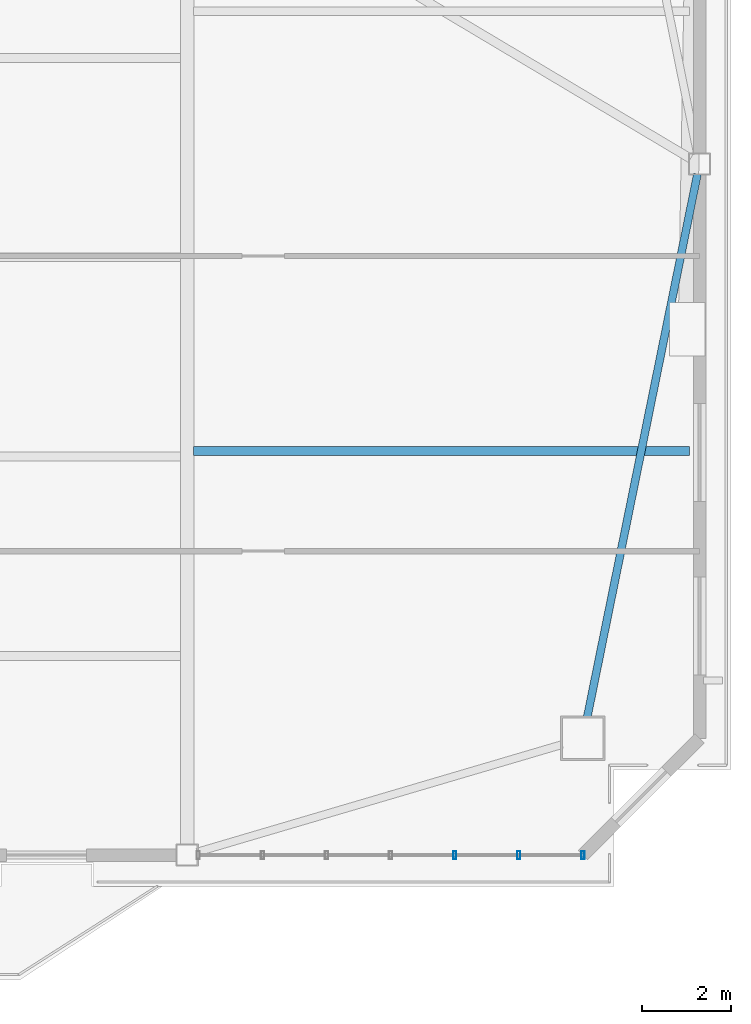
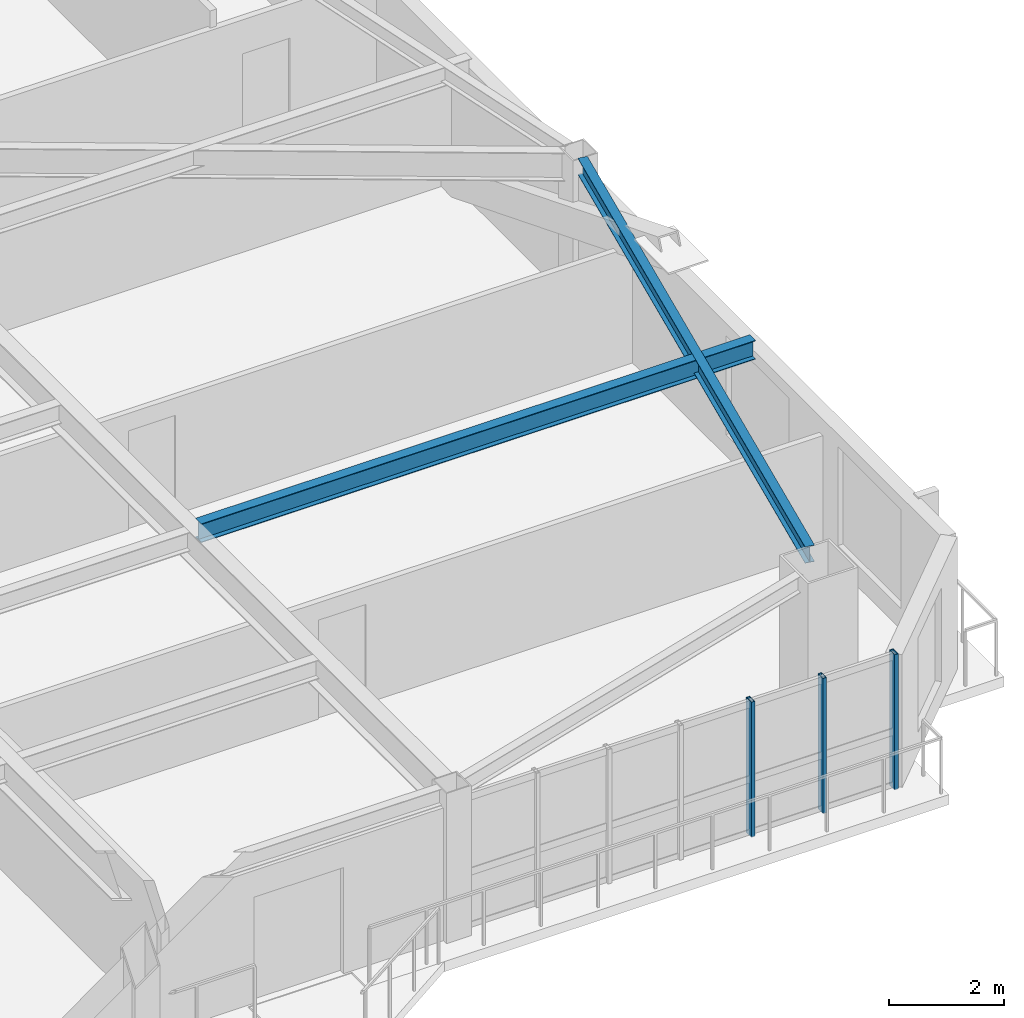
# One storey, part 6 of 17: 3 members, 2 beams, 1 element without a shape of its own.
"""IFC4 building model written with IfcOpenShell, lengths in metres."""

from ifc_helpers import new_model, si_unit, direction, frame, origin, origin_2d, place, context, subcontext, project, spatial, hollow_rectangle, i_section, extrude, source, transform, mapped, material, layer, layer_set, material_profile, profile_set, type_object, element, aggregate, save


model = new_model("IFC4")

# Units and contexts
model_context = context("Model", 3, precision=1e-05, world=origin(), true_north=direction((0.0, 1.0)))
body_context = subcontext(model_context, "Body", "Model", "MODEL_VIEW")
ifc_project = project(units=[si_unit("LENGTHUNIT", "METRE"), si_unit("AREAUNIT", "SQUARE_METRE"), si_unit("VOLUMEUNIT", "CUBIC_METRE"), si_unit("PLANEANGLEUNIT", "RADIAN"), si_unit("MASSUNIT", "GRAM", prefix="KILO")], contexts=[model_context])

# Site, building, storey
site_placement = place(None, origin())
site = spatial("IfcSite", under=ifc_project, at=site_placement, CompositionType="ELEMENT")
building_placement = place(site_placement, origin())
building = spatial("IfcBuilding", under=site, at=building_placement, Name="Giltprow Tower", CompositionType="ELEMENT")
storey_placement = place(building_placement, frame((0.0, 0.0, 251.89990234375)))
storey = spatial("IfcBuildingStorey", under=building, at=storey_placement, Name="L64", CompositionType="ELEMENT", Elevation=251.89990234375)

# Beams
ifc_material_1 = material(Name="Structural steel Q355B", Category="steel")
ifc_material_profile_1 = material_profile(ifc_material_1, i_section(OverallWidth=0.175048828125, OverallDepth=0.35009765625, WebThickness=0.007080078125, FlangeThickness=0.010986328125, at=origin_2d()), Name="HN 350x175x7x11")
ifc_profile_set_1 = profile_set([ifc_material_profile_1], Name="Structural steel Q355B")
beam_type_1 = type_object("IfcBeamType", Name="BM-SPAN-HN350", PredefinedType="SPANDREL", material=ifc_profile_set_1)
shared_shape_1 = source(origin(), body_context, "Body", "SweptSolid", [
    extrude(i_section(OverallWidth=0.175048828125, OverallDepth=0.35009765625, WebThickness=0.007080078125, FlangeThickness=0.010986328125, at=origin_2d()), origin(), (0.0, 0.0, 1.0), 12.42236328125),
])
beam_1_placement = place(storey_placement, frame((59.51904296875, 18.202880859375, 3.010009765625), z_axis=(0.198912168931, 0.980017320791, 0.0), x_axis=(-0.980017320791, 0.198912168931, 0.0)))
element("IfcBeam", 1, at=beam_1_placement, inside=storey, type_object=beam_type_1, Name="L64 Perimeter Spandrel Beam MC_SE-E_MID", PredefinedType="SPANDREL", context=body_context, shape_type="MappedRepresentation", body=[
    mapped(shared_shape_1, transform((0.0, 0.0, 0.0), x_axis=(1.0, 0.0, 0.0), y_axis=(0.0, 1.0, 0.0), z_axis=(0.0, 0.0, 1.0), scale=1.0)),
])
ifc_material_profile_2 = material_profile(ifc_material_1, i_section(OverallWidth=0.199951171875, OverallDepth=0.39990234375, WebThickness=0.008056640625, FlangeThickness=0.012939453125, at=origin_2d()), Name="HN 400x200x8x13")
ifc_profile_set_2 = profile_set([ifc_material_profile_2], Name="Structural steel Q355B")
beam_type_2 = type_object("IfcBeamType", Name="BM-JOIST-HN400", PredefinedType="JOIST", material=ifc_profile_set_2)
shared_shape_2 = source(origin(), body_context, "Body", "SweptSolid", [
    extrude(i_section(OverallWidth=0.199951171875, OverallDepth=0.39990234375, WebThickness=0.008056640625, FlangeThickness=0.012939453125, at=origin_2d()), origin(), (0.0, 0.0, 1.0), 11.121826171875),
])
beam_2_placement = place(storey_placement, frame((50.695068359375, 24.16796875, 2.985107421875), z_axis=(1.0, 0.0, 0.0), x_axis=(0.0, 1.0, 0.0)))
element("IfcBeam", 2, at=beam_2_placement, inside=storey, type_object=beam_type_2, Name="L64 East Wing Floor Joist 1", PredefinedType="JOIST", context=body_context, shape_type="MappedRepresentation", body=[
    mapped(shared_shape_2, transform((0.0, 0.0, 0.0), x_axis=(1.0, 0.0, 0.0), y_axis=(0.0, 1.0, 0.0), z_axis=(0.0, 0.0, 1.0), scale=1.0)),
])

# Curtain wall, members
ifc_material_2 = material(Name="Anodized bronze", Category="metal")
ifc_layer = layer(ifc_material_2, 0.179931640625, Name="Anodized bronze")
ifc_layer_set = layer_set([ifc_layer], Name="Anodized bronze")
curtain_wall_type = type_object("IfcCurtainWallType", Name="CW-RES-SKY", PredefinedType="NOTDEFINED", material=ifc_layer_set)
curtain_wall_placement = place(storey_placement, origin())
curtain_wall = element("IfcCurtainWall", 3, at=curtain_wall_placement, inside=storey, type_object=curtain_wall_type, Name="L64 South Recessed Curtain Wall 6", PredefinedType="NOTDEFINED")
ifc_material_profile_3 = material_profile(ifc_material_2, hollow_rectangle(XDim=0.074951171875, YDim=0.179931640625, WallThickness=0.008056640625, at=origin_2d()), Name="RHS 180x75x8")
ifc_profile_set_3 = profile_set([ifc_material_profile_3], Name="Anodized bronze")
member_type = type_object("IfcMemberType", Name="CW-MULLION-180x75", PredefinedType="MULLION", material=ifc_profile_set_3)
shared_shape_3 = source(origin(), body_context, "Body", "SweptSolid", [
    extrude(hollow_rectangle(XDim=0.074951171875, YDim=0.179931640625, WallThickness=0.008056640625, at=origin_2d()), origin(), (0.0, 0.0, 1.0), 2.8701171875),
])
member_1_placement = place(storey_placement, frame((56.548095703125, 15.113037109375, -0.02001953125), z_axis=(0.0, 0.0, 1.0), x_axis=(1.0, 0.0, 0.0)))
member_1 = element("IfcMember", 4, at=member_1_placement, type_object=member_type, Name="L64 South Recessed Curtain Wall 6 Mullion 5", PredefinedType="MULLION", context=body_context, shape_type="MappedRepresentation", body=[
    mapped(shared_shape_3, transform((0.0, 0.0, 0.0), x_axis=(1.0, 0.0, 0.0), y_axis=(0.0, 1.0, 0.0), z_axis=(0.0, 0.0, 1.0), scale=1.0)),
])
member_2_placement = place(storey_placement, frame((57.985107421875, 15.113037109375, -0.02001953125), z_axis=(0.0, 0.0, 1.0), x_axis=(1.0, 0.0, 0.0)))
member_2 = element("IfcMember", 5, at=member_2_placement, type_object=member_type, Name="L64 South Recessed Curtain Wall 6 Mullion 6", PredefinedType="MULLION", context=body_context, shape_type="MappedRepresentation", body=[
    mapped(shared_shape_3, transform((0.0, 0.0, 0.0), x_axis=(1.0, 0.0, 0.0), y_axis=(0.0, 1.0, 0.0), z_axis=(0.0, 0.0, 1.0), scale=1.0)),
])
member_3_placement = place(storey_placement, frame((59.422119140625, 15.113037109375, -0.02001953125), z_axis=(0.0, 0.0, 1.0), x_axis=(1.0, 0.0, 0.0)))
member_3 = element("IfcMember", 6, at=member_3_placement, type_object=member_type, Name="L64 South Recessed Curtain Wall 6 Mullion 7", PredefinedType="MULLION", context=body_context, shape_type="MappedRepresentation", body=[
    mapped(shared_shape_3, transform((0.0, 0.0, 0.0), x_axis=(1.0, 0.0, 0.0), y_axis=(0.0, 1.0, 0.0), z_axis=(0.0, 0.0, 1.0), scale=1.0)),
])
aggregate(curtain_wall, [member_1, member_2, member_3])

save(model, "model.ifc")
